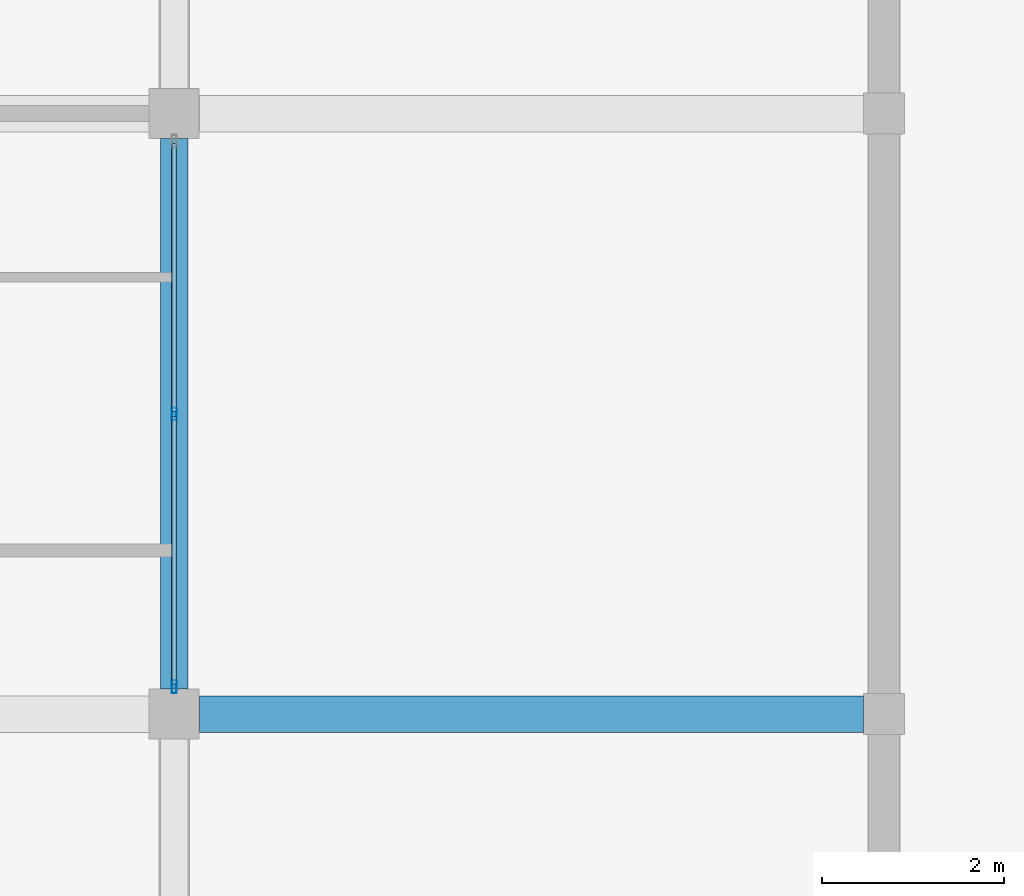
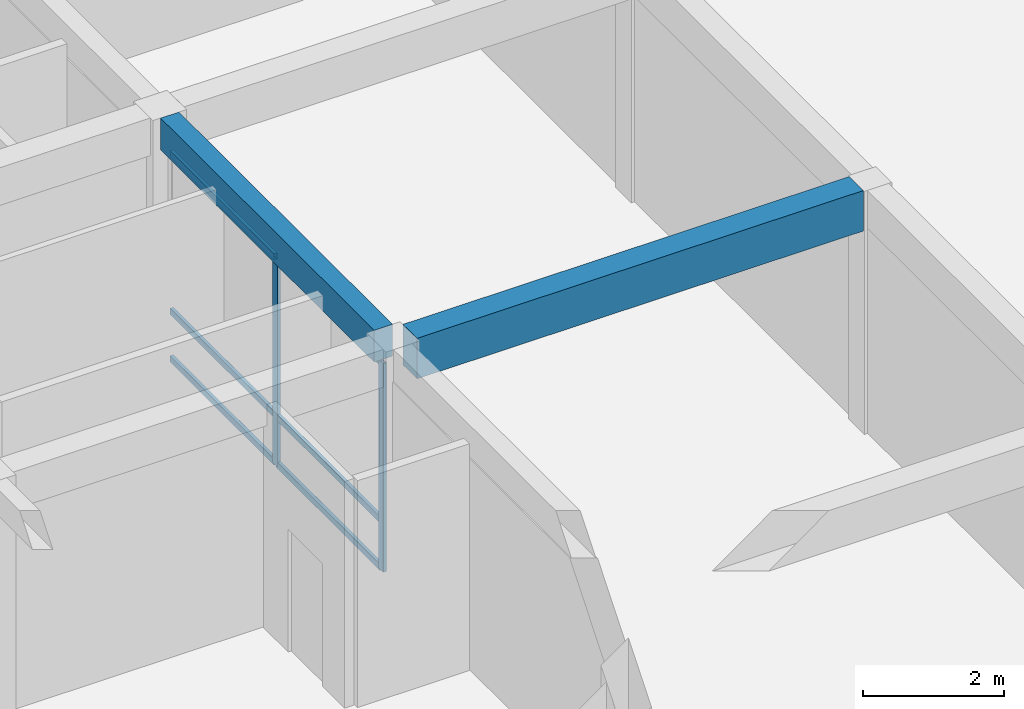
# One storey, part 42 of 75: 8 members, 2 beams, 1 element without a shape of its own.
"""IFC4 building model written with IfcOpenShell, lengths in metres."""

from ifc_helpers import new_model, si_unit, direction, frame, origin, origin_2d, place, context, subcontext, project, spatial, rectangle, hollow_rectangle, extrude, material, material_profile, profile_set, type_object, element, aggregate, save


model = new_model("IFC4")

# Units and contexts
model_context = context("Model", 3, precision=1e-05, world=origin(), true_north=direction((0.0, 1.0)))
body_context = subcontext(model_context, "Body", "Model", "MODEL_VIEW")
ifc_project = project(units=[si_unit("LENGTHUNIT", "METRE"), si_unit("AREAUNIT", "SQUARE_METRE"), si_unit("VOLUMEUNIT", "CUBIC_METRE"), si_unit("PLANEANGLEUNIT", "RADIAN"), si_unit("MASSUNIT", "GRAM", prefix="KILO")], contexts=[model_context])

# Site, building, storey
site_placement = place(None, origin())
site = spatial("IfcSite", under=ifc_project, at=site_placement, CompositionType="ELEMENT")
building_placement = place(site_placement, origin())
building = spatial("IfcBuilding", under=site, at=building_placement, Name="Kernevlak Ridge Housing Community", CompositionType="ELEMENT")
storey_placement = place(building_placement, origin())
storey = spatial("IfcBuildingStorey", under=building, at=storey_placement, Name="L00", CompositionType="ELEMENT", Elevation=0.0)

# Beam
ifc_material_1 = material(Name="Concrete C35/45", Category="concrete")
ifc_material_profile_1 = material_profile(ifc_material_1, rectangle(XDim=0.39990234375, YDim=0.699951171875, at=origin_2d()), Name="RC 400x700")
ifc_profile_set_1 = profile_set([ifc_material_profile_1], Name="Concrete C35/45")
beam_type_1 = type_object("IfcBeamType", Name="B-01", PredefinedType="BEAM", material=ifc_profile_set_1)
beam_1_placement = place(storey_placement, frame((152.675048828125, 89.199951171875, 3.85009765625), z_axis=(1.0, 0.0, 0.0), x_axis=(0.0, 1.0, 0.0)))
element("IfcBeam", 1, at=beam_1_placement, inside=storey, type_object=beam_type_1, Name="Beam B-01 L00 2223", PredefinedType="BEAM", context=body_context, shape_type="SweptSolid", body=[
    extrude(rectangle(XDim=0.39990234375, YDim=0.699951171875, at=origin_2d()), origin(), (0.0, 0.0, 1.0), 7.300048828125),
])

# Curtain wall, members
ifc_material_2 = material(Name="Aluminium EN AW-6060 anodised and laminated glass", Category="aluminium")
curtain_wall_type = type_object("IfcCurtainWallType", Name="CW-12", PredefinedType="NOTDEFINED", material=ifc_material_2)
curtain_wall_placement = place(storey_placement, origin())
curtain_wall = element("IfcCurtainWall", 2, at=curtain_wall_placement, inside=storey, type_object=curtain_wall_type, Name="Curtain wall CW-12 CW-L00-057", PredefinedType="NOTDEFINED")
ifc_material_3 = material(Name="Aluminium EN AW-6060 anodised", Category="aluminium")
ifc_material_profile_2 = material_profile(ifc_material_3, hollow_rectangle(XDim=0.054931640625, YDim=0.139892578125, WallThickness=0.00390625, InnerFilletRadius=0.001953125, OuterFilletRadius=0.00390625, at=origin_2d()), Name="ALU 55x140x4")
ifc_profile_set_2 = profile_set([ifc_material_profile_2], Name="Aluminium EN AW-6060 anodised")
member_type_1 = type_object("IfcMemberType", Name="MU-01", PredefinedType="MULLION", material=ifc_profile_set_2)
member_1_placement = place(storey_placement, frame((152.39990234375, 89.50244140625, 0.0), z_axis=(0.0, 0.0, 1.0), x_axis=(-1.0, 0.0, 0.0)))
member_1 = element("IfcMember", 3, at=member_1_placement, type_object=member_type_1, Name="CW-12 mullion 1", PredefinedType="MULLION", context=body_context, shape_type="SweptSolid", body=[
    extrude(hollow_rectangle(XDim=0.054931640625, YDim=0.139892578125, WallThickness=0.00390625, InnerFilletRadius=0.001953125, OuterFilletRadius=0.00390625, at=origin_2d()), origin(), (0.0, 0.0, 1.0), 3.60009765625),
])
member_2_placement = place(storey_placement, frame((152.39990234375, 92.5, 0.0), z_axis=(0.0, 0.0, 1.0), x_axis=(-1.0, 0.0, 0.0)))
member_2 = element("IfcMember", 4, at=member_2_placement, type_object=member_type_1, Name="CW-12 mullion 2", PredefinedType="MULLION", context=body_context, shape_type="SweptSolid", body=[
    extrude(hollow_rectangle(XDim=0.054931640625, YDim=0.139892578125, WallThickness=0.00390625, InnerFilletRadius=0.001953125, OuterFilletRadius=0.00390625, at=origin_2d()), origin(), (0.0, 0.0, 1.0), 3.60009765625),
])

# Beam
ifc_material_profile_3 = material_profile(ifc_material_1, rectangle(XDim=0.300048828125, YDim=0.550048828125, at=origin_2d()), Name="RC 300x550")
ifc_profile_set_3 = profile_set([ifc_material_profile_3], Name="Concrete C35/45")
beam_type_2 = type_object("IfcBeamType", Name="SP-01", PredefinedType="SPANDREL", material=ifc_profile_set_3)
beam_2_placement = place(storey_placement, frame((152.39990234375, 89.47509765625, 3.925048828125), z_axis=(0.0, 1.0, 0.0), x_axis=(-1.0, 0.0, 0.0)))
element("IfcBeam", 5, at=beam_2_placement, inside=storey, type_object=beam_type_2, Name="Beam SP-01 L00 591", PredefinedType="SPANDREL", context=body_context, shape_type="SweptSolid", body=[
    extrude(rectangle(XDim=0.300048828125, YDim=0.550048828125, at=origin_2d()), origin(), (0.0, 0.0, 1.0), 6.0498046875),
])

# Member
ifc_material_profile_4 = material_profile(ifc_material_3, hollow_rectangle(XDim=0.054931640625, YDim=0.110107421875, WallThickness=0.00390625, InnerFilletRadius=0.001953125, OuterFilletRadius=0.00390625, at=origin_2d()), Name="ALU 55x110x4")
ifc_profile_set_4 = profile_set([ifc_material_profile_4], Name="Aluminium EN AW-6060 anodised")
member_type_2 = type_object("IfcMemberType", Name="TM-01", PredefinedType="USERDEFINED", material=ifc_profile_set_4)
member_3_placement = place(storey_placement, frame((152.39990234375, 89.530029296875, 0.027587890625), z_axis=(0.0, 1.0, 0.0), x_axis=(-1.0, 0.0, 0.0)))
member_3 = element("IfcMember", 6, at=member_3_placement, type_object=member_type_2, Name="CW-12 transom 1.1", ObjectType="TRANSOM", PredefinedType="USERDEFINED", context=body_context, shape_type="SweptSolid", body=[
    extrude(hollow_rectangle(XDim=0.054931640625, YDim=0.110107421875, WallThickness=0.00390625, InnerFilletRadius=0.001953125, OuterFilletRadius=0.00390625, at=origin_2d()), origin(), (0.0, 0.0, 1.0), 2.9423828125),
])

member_4_placement = place(storey_placement, frame((152.39990234375, 89.530029296875, 0.85009765625), z_axis=(0.0, 1.0, 0.0), x_axis=(-1.0, 0.0, 0.0)))
member_4 = element("IfcMember", 7, at=member_4_placement, type_object=member_type_2, Name="CW-12 transom 1.2", ObjectType="TRANSOM", PredefinedType="USERDEFINED", context=body_context, shape_type="SweptSolid", body=[
    extrude(hollow_rectangle(XDim=0.054931640625, YDim=0.110107421875, WallThickness=0.00390625, InnerFilletRadius=0.001953125, OuterFilletRadius=0.00390625, at=origin_2d()), origin(), (0.0, 0.0, 1.0), 2.9423828125),
])

member_5_placement = place(storey_placement, frame((152.39990234375, 89.530029296875, 3.572509765625), z_axis=(0.0, 1.0, 0.0), x_axis=(-1.0, 0.0, 0.0)))
member_5 = element("IfcMember", 8, at=member_5_placement, type_object=member_type_2, Name="CW-12 transom 1.3", ObjectType="TRANSOM", PredefinedType="USERDEFINED", context=body_context, shape_type="SweptSolid", body=[
    extrude(hollow_rectangle(XDim=0.054931640625, YDim=0.110107421875, WallThickness=0.00390625, InnerFilletRadius=0.001953125, OuterFilletRadius=0.00390625, at=origin_2d()), origin(), (0.0, 0.0, 1.0), 2.9423828125),
])

member_6_placement = place(storey_placement, frame((152.39990234375, 92.527587890625, 0.027587890625), z_axis=(0.0, 1.0, 0.0), x_axis=(-1.0, 0.0, 0.0)))
member_6 = element("IfcMember", 9, at=member_6_placement, type_object=member_type_2, Name="CW-12 transom 2.1", ObjectType="TRANSOM", PredefinedType="USERDEFINED", context=body_context, shape_type="SweptSolid", body=[
    extrude(hollow_rectangle(XDim=0.054931640625, YDim=0.110107421875, WallThickness=0.00390625, InnerFilletRadius=0.001953125, OuterFilletRadius=0.00390625, at=origin_2d()), origin(), (0.0, 0.0, 1.0), 2.9423828125),
])

member_7_placement = place(storey_placement, frame((152.39990234375, 92.527587890625, 0.85009765625), z_axis=(0.0, 1.0, 0.0), x_axis=(-1.0, 0.0, 0.0)))
member_7 = element("IfcMember", 10, at=member_7_placement, type_object=member_type_2, Name="CW-12 transom 2.2", ObjectType="TRANSOM", PredefinedType="USERDEFINED", context=body_context, shape_type="SweptSolid", body=[
    extrude(hollow_rectangle(XDim=0.054931640625, YDim=0.110107421875, WallThickness=0.00390625, InnerFilletRadius=0.001953125, OuterFilletRadius=0.00390625, at=origin_2d()), origin(), (0.0, 0.0, 1.0), 2.9423828125),
])

member_8_placement = place(storey_placement, frame((152.39990234375, 92.527587890625, 3.572509765625), z_axis=(0.0, 1.0, 0.0), x_axis=(-1.0, 0.0, 0.0)))
member_8 = element("IfcMember", 11, at=member_8_placement, type_object=member_type_2, Name="CW-12 transom 2.3", ObjectType="TRANSOM", PredefinedType="USERDEFINED", context=body_context, shape_type="SweptSolid", body=[
    extrude(hollow_rectangle(XDim=0.054931640625, YDim=0.110107421875, WallThickness=0.00390625, InnerFilletRadius=0.001953125, OuterFilletRadius=0.00390625, at=origin_2d()), origin(), (0.0, 0.0, 1.0), 2.9423828125),
])

aggregate(curtain_wall, [member_1, member_2, member_3, member_4, member_5, member_6, member_7, member_8])

save(model, "model.ifc")
